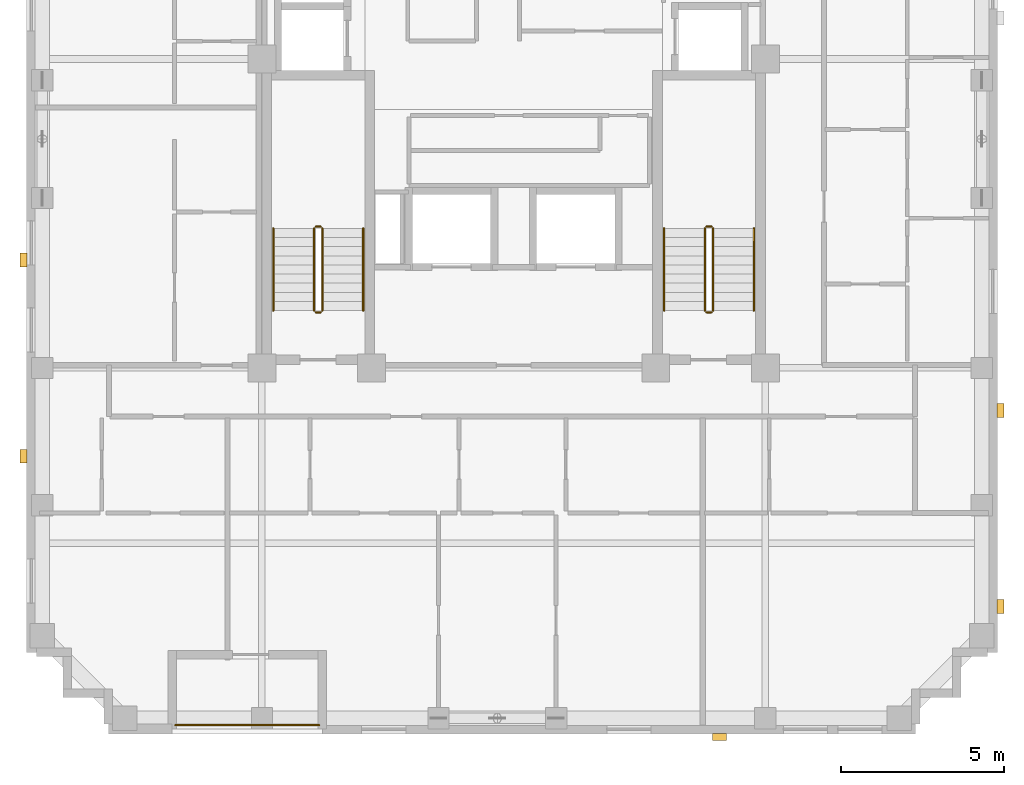
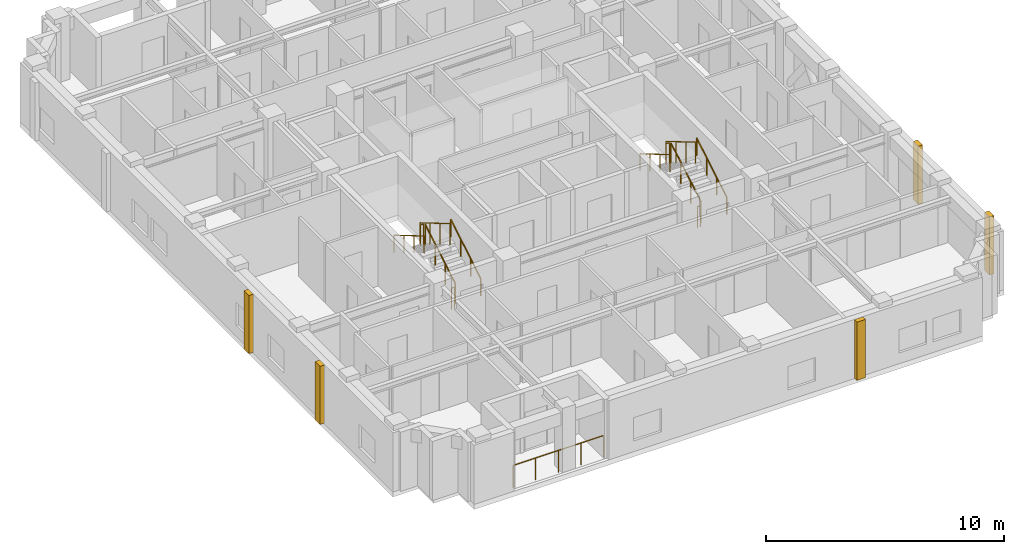
# One storey, part 9 of 10: 13 railings, 5 coverings.
"""IFC4 building model written with IfcOpenShell, lengths in metres."""

from ifc_helpers import new_model, si_unit, derived_unit, direction, frame, origin, origin_2d, place, context, subcontext, project, spatial, rectangle, circle, extrude, material, layer, layer_set, type_object, element, save


model = new_model("IFC4")

# Units and contexts
model_context = context("Model", 3, precision=1e-05, world=origin(), true_north=direction((0.0, 1.0)))
body_context = subcontext(model_context, "Body", "Model", "MODEL_VIEW")
ifc_project = project(units=[si_unit("LENGTHUNIT", "METRE"), si_unit("AREAUNIT", "SQUARE_METRE"), si_unit("VOLUMEUNIT", "CUBIC_METRE"), si_unit("PLANEANGLEUNIT", "RADIAN"), si_unit("MASSUNIT", "GRAM", prefix="KILO"), derived_unit("THERMALTRANSMITTANCEUNIT", [(si_unit("MASSUNIT", "GRAM", prefix="KILO"), 1), (si_unit("TIMEUNIT", "SECOND"), -3), (si_unit("THERMODYNAMICTEMPERATUREUNIT", "KELVIN"), -1)])], contexts=[model_context])

# Site, building, storey
site_placement = place(None, origin())
site = spatial("IfcSite", under=ifc_project, at=site_placement, CompositionType="ELEMENT")
building_placement = place(site_placement, origin())
building = spatial("IfcBuilding", under=site, at=building_placement, Name="Korrvale Station Residences", CompositionType="ELEMENT")
storey_placement = place(building_placement, frame((0.0, 0.0, 200.800048828125)))
storey = spatial("IfcBuildingStorey", under=building, at=storey_placement, Name="L58", CompositionType="ELEMENT", Elevation=200.800048828125)

# Coverings
ifc_material_1 = material(Name="Architectural precast concrete C45/55", Category="concrete")
ifc_layer = layer(ifc_material_1, 0.219970703125, Name="Architectural precast concrete C45/55")
ifc_layer_set = layer_set([ifc_layer], Name="Architectural precast concrete C45/55")
covering_type = type_object("IfcCoveringType", Name="COV-PIER-400", PredefinedType="CLADDING", material=ifc_layer_set)
for number, where, z_axis, x_axis, name in (
    (1, (31.800048828125, 3.7099609375, 0.02490234375), (0.0, 0.0, 1.0), (1.0, 0.0, 0.0), "L58 Architectural Precast Facade Pier 01"),
    (2, (10.510009765625, 12.300048828125, 0.02490234375), (0.0, 0.0, 1.0), (0.0, 1.0, 0.0), "L58 Architectural Precast Facade Pier 02"),
    (3, (10.510009765625, 18.300048828125, 0.02490234375), (0.0, 0.0, 1.0), (0.0, 1.0, 0.0), "L58 Architectural Precast Facade Pier 03"),
    (4, (40.389892578125, 13.699951171875, 0.02490234375), (0.0, 0.0, 1.0), (0.0, 1.0, 0.0), "L58 Architectural Precast Facade Pier 08"),
    (5, (40.389892578125, 7.699951171875, 0.02490234375), (0.0, 0.0, 1.0), (0.0, 1.0, 0.0), "L58 Architectural Precast Facade Pier 09"),
):
    element("IfcCovering", number, at=place(storey_placement, frame(where, z_axis=z_axis, x_axis=x_axis)), inside=storey, type_object=covering_type, Name=name, PredefinedType="CLADDING", context=body_context, shape_type="SweptSolid", body=[
        extrude(rectangle(XDim=0.419921875, YDim=0.219970703125, at=origin_2d()), origin(), (0.0, 0.0, 1.0), 2.989990234375),
    ])

# Railings
ifc_material_2 = material(Name="Powder-coated aluminium picket loggia guard", Category="aluminium")
railing_type_1 = type_object("IfcRailingType", Name="RLG-BAL-1150", PredefinedType="GUARDRAIL", material=ifc_material_2)
railing_1_placement = place(storey_placement, frame((15.14990234375, 4.070068359375, 0.0)))
element("IfcRailing", 6, at=railing_1_placement, inside=storey, type_object=railing_type_1, Name="L58 Recessed Loggia Guardrail BAL-L58-S1", PredefinedType="GUARDRAIL", context=body_context, shape_type="SweptSolid", body=[
    extrude(circle(Radius=0.02392578125, at=origin_2d()), frame((0.0, 0.0, 1.1259765625), z_axis=(1.0, 0.0, 0.0), x_axis=(0.0, 1.0, 0.0)), (0.0, 0.0, 1.0), 4.400146484375),
    extrude(circle(Radius=0.02099609375, at=origin_2d()), origin(), (0.0, 0.0, 1.0), 1.101806640625),
    extrude(circle(Radius=0.02099609375, at=origin_2d()), frame((1.10009765625, 0.0, 0.0)), (0.0, 0.0, 1.0), 1.101806640625),
    extrude(circle(Radius=0.02099609375, at=origin_2d()), frame((2.2001953125, 0.0, 0.0)), (0.0, 0.0, 1.0), 1.101806640625),
    extrude(circle(Radius=0.02099609375, at=origin_2d()), frame((3.300048828125, 0.0, 0.0)), (0.0, 0.0, 1.0), 1.101806640625),
    extrude(circle(Radius=0.02099609375, at=origin_2d()), frame((4.400146484375, 0.0, 0.0)), (0.0, 0.0, 1.0), 1.101806640625),
])
ifc_material_3 = material(Name="Brushed stainless-steel continuous stair handrail", Category="steel")
railing_type_2 = type_object("IfcRailingType", Name="RLG-SHND-900", PredefinedType="HANDRAIL", material=ifc_material_3)
railing_2_placement = place(storey_placement, frame((20.89990234375, 16.75, 0.1650390625)))
element("IfcRailing", 7, at=railing_2_placement, inside=storey, type_object=railing_type_2, Name="L58 ST-1 stair handrail 1", PredefinedType="HANDRAIL", context=body_context, shape_type="SweptSolid", body=[
    extrude(circle(Radius=0.02392578125, at=origin_2d()), frame((0.0, 0.0, 0.8759765625), z_axis=(0.0, 0.861560626758, 0.507654692109), x_axis=(-1.0, 0.0, 0.0)), (0.0, 0.0, 1.0), 2.925048828125),
    extrude(circle(Radius=0.02099609375, at=origin_2d()), origin(), (0.0, 0.0, 1.0), 0.851806640625),
    extrude(circle(Radius=0.02099609375, at=origin_2d()), frame((0.0, 0.840087890625, 0.494873046875)), (0.0, 0.0, 1.0), 0.851806640625),
    extrude(circle(Radius=0.02099609375, at=origin_2d()), frame((0.0, 1.679931640625, 0.989990234375)), (0.0, 0.0, 1.0), 0.851806640625),
    extrude(circle(Radius=0.02099609375, at=origin_2d()), frame((0.0, 2.52001953125, 1.48486328125)), (0.0, 0.0, 1.0), 0.851806640625),
])
railing_3_placement = place(storey_placement, frame((18.14990234375, 19.27001953125, 1.81494140625)))
element("IfcRailing", 8, at=railing_3_placement, inside=storey, type_object=railing_type_2, Name="L58 ST-1 stair handrail 2", PredefinedType="HANDRAIL", context=body_context, shape_type="SweptSolid", body=[
    extrude(circle(Radius=0.02392578125, at=origin_2d()), frame((0.0, 0.0, 0.8759765625), z_axis=(0.0, -0.86152411907, 0.507716645641), x_axis=(1.0, 0.0, 0.0)), (0.0, 0.0, 1.0), 2.925048828125),
    extrude(circle(Radius=0.02099609375, at=origin_2d()), origin(), (0.0, 0.0, 1.0), 0.851806640625),
    extrude(circle(Radius=0.02099609375, at=origin_2d()), frame((0.0, -0.840087890625, 0.4951171875)), (0.0, 0.0, 1.0), 0.851806640625),
    extrude(circle(Radius=0.02099609375, at=origin_2d()), frame((0.0, -1.679931640625, 0.989990234375)), (0.0, 0.0, 1.0), 0.851806640625),
    extrude(circle(Radius=0.02099609375, at=origin_2d()), frame((0.0, -2.52001953125, 1.485107421875)), (0.0, 0.0, 1.0), 0.851806640625),
])
railing_4_placement = place(storey_placement, frame((32.85009765625, 16.75, 0.1650390625)))
element("IfcRailing", 9, at=railing_4_placement, inside=storey, type_object=railing_type_2, Name="L58 ST-2 stair handrail 1", PredefinedType="HANDRAIL", context=body_context, shape_type="SweptSolid", body=[
    extrude(circle(Radius=0.02392578125, at=origin_2d()), frame((0.0, 0.0, 0.8759765625), z_axis=(0.0, 0.861560626758, 0.507654692109), x_axis=(-1.0, 0.0, 0.0)), (0.0, 0.0, 1.0), 2.925048828125),
    extrude(circle(Radius=0.02099609375, at=origin_2d()), origin(), (0.0, 0.0, 1.0), 0.851806640625),
    extrude(circle(Radius=0.02099609375, at=origin_2d()), frame((0.0, 0.840087890625, 0.494873046875)), (0.0, 0.0, 1.0), 0.851806640625),
    extrude(circle(Radius=0.02099609375, at=origin_2d()), frame((0.0, 1.679931640625, 0.989990234375)), (0.0, 0.0, 1.0), 0.851806640625),
    extrude(circle(Radius=0.02099609375, at=origin_2d()), frame((0.0, 2.52001953125, 1.48486328125)), (0.0, 0.0, 1.0), 0.851806640625),
])
railing_5_placement = place(storey_placement, frame((30.10009765625, 19.27001953125, 1.81494140625)))
element("IfcRailing", 10, at=railing_5_placement, inside=storey, type_object=railing_type_2, Name="L58 ST-2 stair handrail 2", PredefinedType="HANDRAIL", context=body_context, shape_type="SweptSolid", body=[
    extrude(circle(Radius=0.02392578125, at=origin_2d()), frame((0.0, 0.0, 0.8759765625), z_axis=(0.0, -0.86152411907, 0.507716645641), x_axis=(1.0, 0.0, 0.0)), (0.0, 0.0, 1.0), 2.925048828125),
    extrude(circle(Radius=0.02099609375, at=origin_2d()), origin(), (0.0, 0.0, 1.0), 0.851806640625),
    extrude(circle(Radius=0.02099609375, at=origin_2d()), frame((0.0, -0.840087890625, 0.4951171875)), (0.0, 0.0, 1.0), 0.851806640625),
    extrude(circle(Radius=0.02099609375, at=origin_2d()), frame((0.0, -1.679931640625, 0.989990234375)), (0.0, 0.0, 1.0), 0.851806640625),
    extrude(circle(Radius=0.02099609375, at=origin_2d()), frame((0.0, -2.52001953125, 1.485107421875)), (0.0, 0.0, 1.0), 0.851806640625),
])
ifc_material_4 = material(Name="Galvanised painted tubular steel stair guard", Category="steel")
railing_type_3 = type_object("IfcRailingType", Name="RLG-STR-1100", PredefinedType="GUARDRAIL", material=ifc_material_4)
railing_6_placement = place(storey_placement, frame((19.64990234375, 16.75, 0.1650390625)))
element("IfcRailing", 11, at=railing_6_placement, inside=storey, type_object=railing_type_3, Name="L58 ST-1 stair guard 1", PredefinedType="GUARDRAIL", context=body_context, shape_type="SweptSolid", body=[
    extrude(circle(Radius=0.02392578125, at=origin_2d()), frame((0.0, 0.0, 1.076171875), z_axis=(0.0, 0.861560626758, 0.507654692109), x_axis=(-1.0, 0.0, 0.0)), (0.0, 0.0, 1.0), 2.925048828125),
    extrude(circle(Radius=0.02099609375, at=origin_2d()), origin(), (0.0, 0.0, 1.0), 1.052001953125),
    extrude(circle(Radius=0.02099609375, at=origin_2d()), frame((0.0, 0.840087890625, 0.494873046875)), (0.0, 0.0, 1.0), 1.052001953125),
    extrude(circle(Radius=0.02099609375, at=origin_2d()), frame((0.0, 1.679931640625, 0.989990234375)), (0.0, 0.0, 1.0), 1.052001953125),
    extrude(circle(Radius=0.02099609375, at=origin_2d()), frame((0.0, 2.52001953125, 1.48486328125)), (0.0, 0.0, 1.0), 1.052001953125),
])
railing_7_placement = place(storey_placement, frame((19.60009765625, 19.320068359375, 1.64990234375)))
element("IfcRailing", 12, at=railing_7_placement, inside=storey, type_object=railing_type_3, Name="L58 ST-1 stair guard 2", PredefinedType="GUARDRAIL", context=body_context, shape_type="SweptSolid", body=[
    extrude(circle(Radius=0.02392578125, at=origin_2d()), frame((0.0, 0.0, 1.076171875), z_axis=(-1.0, 0.0, 0.0), x_axis=(0.0, -1.0, 0.0)), (0.0, 0.0, 1.0), 0.150146484375),
    extrude(circle(Radius=0.02099609375, at=origin_2d()), origin(), (0.0, 0.0, 1.0), 1.052001953125),
    extrude(circle(Radius=0.02099609375, at=origin_2d()), frame((-0.150146484375, 0.0, 0.0)), (0.0, 0.0, 1.0), 1.052001953125),
])
railing_8_placement = place(storey_placement, frame((19.39990234375, 19.27001953125, 1.81494140625)))
element("IfcRailing", 13, at=railing_8_placement, inside=storey, type_object=railing_type_3, Name="L58 ST-1 stair guard 3", PredefinedType="GUARDRAIL", context=body_context, shape_type="SweptSolid", body=[
    extrude(circle(Radius=0.02392578125, at=origin_2d()), frame((0.0, 0.0, 1.076171875), z_axis=(0.0, -0.86152411907, 0.507716645641), x_axis=(1.0, 0.0, 0.0)), (0.0, 0.0, 1.0), 2.925048828125),
    extrude(circle(Radius=0.02099609375, at=origin_2d()), origin(), (0.0, 0.0, 1.0), 1.052001953125),
    extrude(circle(Radius=0.02099609375, at=origin_2d()), frame((0.0, -0.840087890625, 0.4951171875)), (0.0, 0.0, 1.0), 1.052001953125),
    extrude(circle(Radius=0.02099609375, at=origin_2d()), frame((0.0, -1.679931640625, 0.989990234375)), (0.0, 0.0, 1.0), 1.052001953125),
    extrude(circle(Radius=0.02099609375, at=origin_2d()), frame((0.0, -2.52001953125, 1.485107421875)), (0.0, 0.0, 1.0), 1.052001953125),
])
railing_9_placement = place(storey_placement, frame((19.60009765625, 16.699951171875, 0.0)))
element("IfcRailing", 14, at=railing_9_placement, inside=storey, type_object=railing_type_3, Name="L58 ST-1 stair guard 4", PredefinedType="GUARDRAIL", context=body_context, shape_type="SweptSolid", body=[
    extrude(circle(Radius=0.02392578125, at=origin_2d()), frame((0.0, 0.0, 1.076171875), z_axis=(-1.0, 0.0, 0.0), x_axis=(0.0, -1.0, 0.0)), (0.0, 0.0, 1.0), 0.150146484375),
    extrude(circle(Radius=0.02099609375, at=origin_2d()), origin(), (0.0, 0.0, 1.0), 1.052001953125),
    extrude(circle(Radius=0.02099609375, at=origin_2d()), frame((-0.150146484375, 0.0, 0.0)), (0.0, 0.0, 1.0), 1.052001953125),
])
railing_10_placement = place(storey_placement, frame((31.60009765625, 16.75, 0.1650390625)))
element("IfcRailing", 15, at=railing_10_placement, inside=storey, type_object=railing_type_3, Name="L58 ST-2 stair guard 1", PredefinedType="GUARDRAIL", context=body_context, shape_type="SweptSolid", body=[
    extrude(circle(Radius=0.02392578125, at=origin_2d()), frame((0.0, 0.0, 1.076171875), z_axis=(0.0, 0.861560626758, 0.507654692109), x_axis=(-1.0, 0.0, 0.0)), (0.0, 0.0, 1.0), 2.925048828125),
    extrude(circle(Radius=0.02099609375, at=origin_2d()), origin(), (0.0, 0.0, 1.0), 1.052001953125),
    extrude(circle(Radius=0.02099609375, at=origin_2d()), frame((0.0, 0.840087890625, 0.494873046875)), (0.0, 0.0, 1.0), 1.052001953125),
    extrude(circle(Radius=0.02099609375, at=origin_2d()), frame((0.0, 1.679931640625, 0.989990234375)), (0.0, 0.0, 1.0), 1.052001953125),
    extrude(circle(Radius=0.02099609375, at=origin_2d()), frame((0.0, 2.52001953125, 1.48486328125)), (0.0, 0.0, 1.0), 1.052001953125),
])
railing_11_placement = place(storey_placement, frame((31.550048828125, 19.320068359375, 1.64990234375)))
element("IfcRailing", 16, at=railing_11_placement, inside=storey, type_object=railing_type_3, Name="L58 ST-2 stair guard 2", PredefinedType="GUARDRAIL", context=body_context, shape_type="SweptSolid", body=[
    extrude(circle(Radius=0.02392578125, at=origin_2d()), frame((0.0, 0.0, 1.076171875), z_axis=(-1.0, 0.0, 0.0), x_axis=(0.0, -1.0, 0.0)), (0.0, 0.0, 1.0), 0.150146484375),
    extrude(circle(Radius=0.02099609375, at=origin_2d()), origin(), (0.0, 0.0, 1.0), 1.052001953125),
    extrude(circle(Radius=0.02099609375, at=origin_2d()), frame((-0.150146484375, 0.0, 0.0)), (0.0, 0.0, 1.0), 1.052001953125),
])
railing_12_placement = place(storey_placement, frame((31.35009765625, 19.27001953125, 1.81494140625)))
element("IfcRailing", 17, at=railing_12_placement, inside=storey, type_object=railing_type_3, Name="L58 ST-2 stair guard 3", PredefinedType="GUARDRAIL", context=body_context, shape_type="SweptSolid", body=[
    extrude(circle(Radius=0.02392578125, at=origin_2d()), frame((0.0, 0.0, 1.076171875), z_axis=(0.0, -0.86152411907, 0.507716645641), x_axis=(1.0, 0.0, 0.0)), (0.0, 0.0, 1.0), 2.925048828125),
    extrude(circle(Radius=0.02099609375, at=origin_2d()), origin(), (0.0, 0.0, 1.0), 1.052001953125),
    extrude(circle(Radius=0.02099609375, at=origin_2d()), frame((0.0, -0.840087890625, 0.4951171875)), (0.0, 0.0, 1.0), 1.052001953125),
    extrude(circle(Radius=0.02099609375, at=origin_2d()), frame((0.0, -1.679931640625, 0.989990234375)), (0.0, 0.0, 1.0), 1.052001953125),
    extrude(circle(Radius=0.02099609375, at=origin_2d()), frame((0.0, -2.52001953125, 1.485107421875)), (0.0, 0.0, 1.0), 1.052001953125),
])
railing_13_placement = place(storey_placement, frame((31.550048828125, 16.699951171875, 0.0)))
element("IfcRailing", 18, at=railing_13_placement, inside=storey, type_object=railing_type_3, Name="L58 ST-2 stair guard 4", PredefinedType="GUARDRAIL", context=body_context, shape_type="SweptSolid", body=[
    extrude(circle(Radius=0.02392578125, at=origin_2d()), frame((0.0, 0.0, 1.076171875), z_axis=(-1.0, 0.0, 0.0), x_axis=(0.0, -1.0, 0.0)), (0.0, 0.0, 1.0), 0.150146484375),
    extrude(circle(Radius=0.02099609375, at=origin_2d()), origin(), (0.0, 0.0, 1.0), 1.052001953125),
    extrude(circle(Radius=0.02099609375, at=origin_2d()), frame((-0.150146484375, 0.0, 0.0)), (0.0, 0.0, 1.0), 1.052001953125),
])

save(model, "model.ifc")
